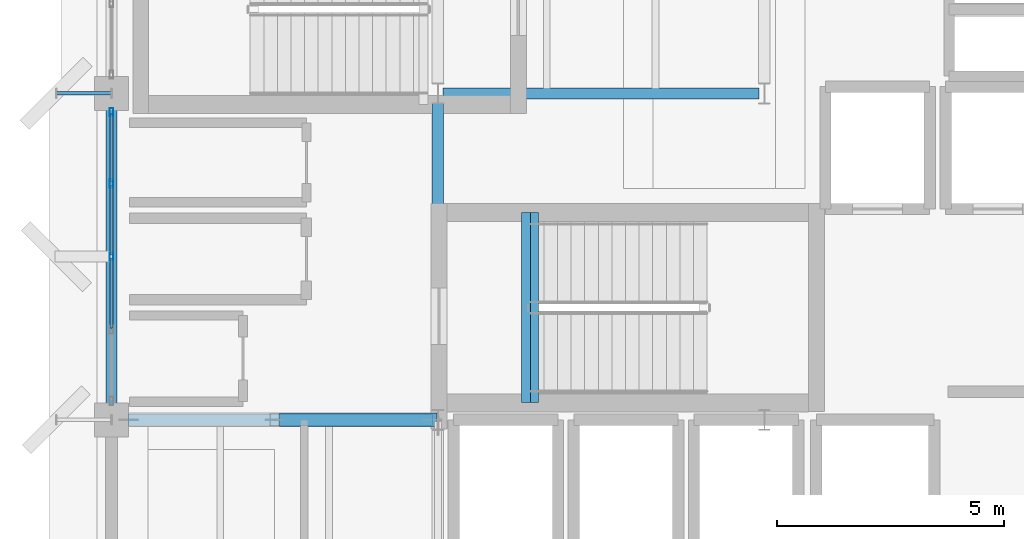
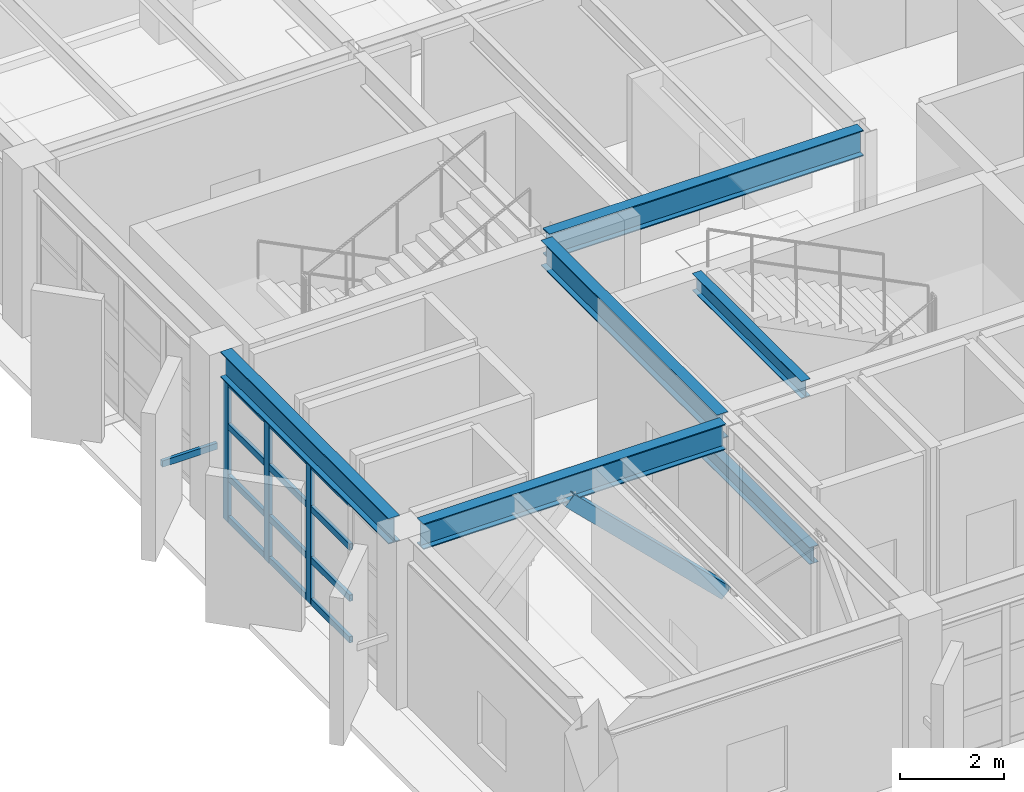
# One storey, part 7 of 37: 17 members, 6 beams, 1 element without a shape of its own.
"""IFC4 building model written with IfcOpenShell, lengths in metres."""

import ifcopenshell
import ifcopenshell.guid

model = None  # the IFC model being written
_history = None  # IfcOwnerHistory: only IFC2X3 demands one
_inside = {}  # id of a spatial element -> (the spatial element, [elements in it])
_under = {}  # id of a project, library or spatial element -> (it, [spatial elements below it])
_declared = {}  # id of a project -> (the project, [libraries it declares])
_typed = {}  # id of a type object -> (the type object, [elements of that type])
_made_of = {}  # id of a material, layer set ... -> (it, [elements and type objects made of it])


def new_model(schema):
    """Start an empty IFC model of exactly this schema.

    Asked for "IFC4X3", IfcOpenShell would pick the latest addendum, in which some entities
    have other attributes; the version numbers below select the first issue.
    IFC2X3 requires an IfcOwnerHistory on every rooted entity: one is made here for all.
    """
    global model, _history
    if schema == "IFC4X3":
        model = ifcopenshell.file(schema_version=(4, 3, 0, 0))
    else:
        model = ifcopenshell.file(schema=schema)
    _inside.clear()
    _under.clear()
    _declared.clear()
    _typed.clear()
    _made_of.clear()
    _history = None
    if model.schema == "IFC2X3":
        org = make("IfcOrganization", Name="unknown")
        user = make(
            "IfcPersonAndOrganization",
            ThePerson=make("IfcPerson", FamilyName="unknown"),
            TheOrganization=org,
        )
        app = make(
            "IfcApplication",
            ApplicationDeveloper=org,
            Version="unknown",
            ApplicationFullName="unknown",
            ApplicationIdentifier="unknown",
        )
        _history = make(
            "IfcOwnerHistory",
            OwningUser=user,
            OwningApplication=app,
            ChangeAction="ADDED",
            CreationDate=0,
        )
    return model


def make(cls, **values):
    """One entity of the class cls with the attributes given. An attribute that is None is left unset."""
    return model.create_entity(
        cls, **{name: value for name, value in values.items() if value is not None}
    )


def rooted(cls, **values):
    """An entity with a GlobalId (a new one), such as an element, a storey or a relation."""
    return make(cls, GlobalId=ifcopenshell.guid.new(), OwnerHistory=_history, **values)


def si_unit(unit_type, name, prefix=None):
    """IfcSIUnit, for example si_unit("LENGTHUNIT", "METRE", prefix="MILLI")."""
    return make("IfcSIUnit", UnitType=unit_type, Prefix=prefix, Name=name)


def assignment(units):
    """IfcUnitAssignment: the units of a project."""
    return None if units is None else make("IfcUnitAssignment", Units=units)


def point(xyz):
    """IfcCartesianPoint."""
    return None if xyz is None else make("IfcCartesianPoint", Coordinates=xyz)


def direction(xyz):
    """IfcDirection."""
    return None if xyz is None else make("IfcDirection", DirectionRatios=xyz)


def frame(location, z_axis=None, x_axis=None):
    """IfcAxis2Placement3D, a coordinate frame: its origin and axes. An axis left out is left unset."""
    return make(
        "IfcAxis2Placement3D",
        Location=point(location),
        Axis=direction(z_axis),
        RefDirection=direction(x_axis),
    )


def frame_2d(location, x_axis=None):
    """IfcAxis2Placement2D, a coordinate frame in the plane: its origin and x axis."""
    return make(
        "IfcAxis2Placement2D", Location=point(location), RefDirection=direction(x_axis)
    )


def origin():
    """The frame at (0, 0, 0) with its axes left unset."""
    return frame((0.0, 0.0, 0.0))


def origin_2d():
    """The frame at (0, 0) in the plane with its x axis left unset."""
    return frame_2d((0.0, 0.0))


def place(relative_to, where):
    """IfcLocalPlacement: puts the frame where relative to a parent placement (None: the world)."""
    return make(
        "IfcLocalPlacement", PlacementRelTo=relative_to, RelativePlacement=where
    )


def context(
    kind, dimensions, precision=None, world=None, true_north=None, identifier=None
):
    """IfcGeometricRepresentationContext, for example the 3D "Model" context."""
    return make(
        "IfcGeometricRepresentationContext",
        ContextIdentifier=identifier,
        ContextType=kind,
        CoordinateSpaceDimension=dimensions,
        Precision=precision,
        WorldCoordinateSystem=world,
        TrueNorth=true_north,
    )


def subcontext(parent, identifier, kind, view, scale=None):
    """IfcGeometricRepresentationSubContext, for example "Body" below "Model"."""
    return make(
        "IfcGeometricRepresentationSubContext",
        ContextIdentifier=identifier,
        ContextType=kind,
        ParentContext=parent,
        TargetScale=scale,
        TargetView=view,
    )


def project(units=None, contexts=None):
    """IfcProject with its units and contexts."""
    return rooted(
        "IfcProject",
        Name="project",
        RepresentationContexts=contexts,
        UnitsInContext=assignment(units),
    )


def spatial(cls, under=None, at=None, **own):
    """A site, building, storey or space (cls), placed at a placement, below another one or the project."""
    s = rooted(cls, ObjectPlacement=at, **own)
    if under is not None:
        _under.setdefault(under.id(), (under, []))[1].append(s)
    return s


def profile(cls, at=None, kind="AREA", **sizes):
    """A parametric profile (cls). Its sizes go by their IFC names, for example OverallWidth=200.0."""
    return make(cls, ProfileType=kind, Position=at, **sizes)


def hollow_rectangle(**sizes):
    """IfcRectangleHollowProfileDef."""
    return profile("IfcRectangleHollowProfileDef", **sizes)


def i_section(**sizes):
    """IfcIShapeProfileDef."""
    return profile("IfcIShapeProfileDef", **sizes)


def extrude(swept, where, along, depth):
    """IfcExtrudedAreaSolid: the profile swept, set in the frame where, extruded along a direction by depth."""
    return make(
        "IfcExtrudedAreaSolid",
        SweptArea=swept,
        Position=where,
        ExtrudedDirection=direction(along),
        Depth=depth,
    )


def shape(context_of_items, identifier, shape_type, items):
    """IfcShapeRepresentation: the items that make up one representation, for example the "Body"."""
    return make(
        "IfcShapeRepresentation",
        ContextOfItems=context_of_items,
        RepresentationIdentifier=identifier,
        RepresentationType=shape_type,
        Items=items,
    )


def material(Name=None, Category=None):
    """IfcMaterial."""
    return make("IfcMaterial", Name=Name, Category=Category)


def layer(
    of_material, thickness, ventilated=None, Name=None, Category=None, Priority=None
):
    """IfcMaterialLayer: one layer of a wall or slab, of a material (None: an air gap)."""
    return make(
        "IfcMaterialLayer",
        Material=of_material,
        LayerThickness=thickness,
        IsVentilated=ventilated,
        Name=Name,
        Category=Category,
        Priority=Priority,
    )


def layer_set(layers, Name=None):
    """IfcMaterialLayerSet."""
    return make("IfcMaterialLayerSet", MaterialLayers=layers, LayerSetName=Name)


def material_profile(
    of_material, cross_section, Name=None, Category=None, Priority=None
):
    """IfcMaterialProfile: a cross section and its material."""
    return make(
        "IfcMaterialProfile",
        Name=Name,
        Material=of_material,
        Profile=cross_section,
        Priority=Priority,
        Category=Category,
    )


def profile_set(profiles, Name=None, composite=None):
    """IfcMaterialProfileSet."""
    return make(
        "IfcMaterialProfileSet",
        Name=Name,
        MaterialProfiles=profiles,
        CompositeProfile=composite,
    )


def made_of(thing, what):
    """Note that an element or type object is made of a material, layer set ...; save() writes the relation."""
    if what is not None:
        _made_of.setdefault(what.id(), (what, []))[1].append(thing)
    return thing


def type_object(cls, material=None, **own):
    """A type object (cls), such as IfcWallType, which elements share."""
    return made_of(rooted(cls, **own), material)


def element(
    cls,
    number,
    at=None,
    inside=None,
    cuts=None,
    type_object=None,
    material=None,
    context=None,
    identifier="Body",
    shape_type=None,
    held_by="IfcProductDefinitionShape",
    body=None,
    shapes=None,
    **own,
):
    """One element of the class cls, such as IfcWall. Its Tag is "e" and its number.

    at: its placement. inside: the storey or other place that contains it. cuts: it is an
    opening in that element (IfcRelVoidsElement). A single representation is given by context,
    identifier, shape_type and body (its items); several are given by shapes. held_by: the class
    of the entity that holds the representations. save() writes the other relations.
    """
    e = rooted(cls, Tag="e%d" % number, ObjectPlacement=at, **own)
    if body is not None:
        shapes = [shape(context, identifier, shape_type, body)]
    if shapes is not None:
        e.Representation = make(held_by, Representations=shapes)
    if inside is not None:
        _inside.setdefault(inside.id(), (inside, []))[1].append(e)
    if cuts is not None:
        rooted(
            "IfcRelVoidsElement", RelatingBuildingElement=cuts, RelatedOpeningElement=e
        )
    if type_object is not None:
        _typed.setdefault(type_object.id(), (type_object, []))[1].append(e)
    return made_of(e, material)


def aggregate(whole, parts):
    """IfcRelAggregates: a whole, such as a stair, and the parts it consists of."""
    return rooted("IfcRelAggregates", RelatingObject=whole, RelatedObjects=parts)


def save(model, path):
    """Write the relations noted so far, then the file.

    IfcRelAggregates (storeys below a building ...), IfcRelContainedInSpatialStructure (elements
    in a storey), IfcRelDefinesByType, IfcRelAssociatesMaterial and IfcRelDeclares: one each for
    every whole, place, type object, material and project.
    """
    for whole, parts in _under.values():
        aggregate(whole, parts)
    for where, things in _inside.values():
        rooted(
            "IfcRelContainedInSpatialStructure",
            RelatedElements=things,
            RelatingStructure=where,
        )
    for kind, things in _typed.values():
        rooted("IfcRelDefinesByType", RelatedObjects=things, RelatingType=kind)
    for what, things in _made_of.values():
        rooted("IfcRelAssociatesMaterial", RelatedObjects=things, RelatingMaterial=what)
    for by, libraries in _declared.values():
        rooted("IfcRelDeclares", RelatingContext=by, RelatedDefinitions=libraries)
    model.write(path)


model = new_model("IFC4")

# Units and contexts
model_context = context("Model", 3, precision=1e-05, world=origin(), true_north=direction((0.0, 1.0)))
body_context = subcontext(model_context, "Body", "Model", "MODEL_VIEW")
ifc_project = project(units=[si_unit("LENGTHUNIT", "METRE"), si_unit("AREAUNIT", "SQUARE_METRE"), si_unit("VOLUMEUNIT", "CUBIC_METRE"), si_unit("PLANEANGLEUNIT", "RADIAN"), si_unit("MASSUNIT", "GRAM", prefix="KILO")], contexts=[model_context])

# Site, building, storey
site_placement = place(None, origin())
site = spatial("IfcSite", under=ifc_project, at=site_placement, CompositionType="ELEMENT")
building_placement = place(site_placement, origin())
building = spatial("IfcBuilding", under=site, at=building_placement, Name="Kandorven Conservatory and Botanical Research Centre", CompositionType="ELEMENT")
storey_placement = place(building_placement, frame((0.0, 0.0, 9.0)))
storey = spatial("IfcBuildingStorey", under=building, at=storey_placement, Name="L02", CompositionType="ELEMENT", Elevation=9.0)

# Beams
ifc_material_1 = material(Name="Steel S355 (IS 2062 E350)", Category="steel")
ifc_material_profile_1 = material_profile(ifc_material_1, i_section(OverallWidth=0.25, OverallDepth=0.60009765625, WebThickness=0.01171875, FlangeThickness=0.023681640625, at=origin_2d()))
ifc_profile_set_1 = profile_set([ifc_material_profile_1], Name="Steel S355 (IS 2062 E350)")
beam_type_1 = type_object("IfcBeamType", Name="Beam_FG-01", PredefinedType="USERDEFINED", material=ifc_profile_set_1)
beam_1_placement = place(storey_placement, frame((6.364990234375, 13.199951171875, 3.659912109375), z_axis=(1.0, 0.0, 0.0), x_axis=(0.0, 1.0, 0.0)))
element("IfcBeam", 1, at=beam_1_placement, inside=storey, type_object=beam_type_1, Name="Primary girder FG-01 TWR L02", ObjectType="GIRDER", PredefinedType="USERDEFINED", context=body_context, shape_type="SweptSolid", body=[
    extrude(i_section(OverallWidth=0.25, OverallDepth=0.60009765625, WebThickness=0.01171875, FlangeThickness=0.023681640625, at=origin_2d()), origin(), (0.0, 0.0, 1.0), 6.719970703125),
])
beam_2_placement = place(storey_placement, frame((13.31494140625, 20.39990234375, 3.659912109375), z_axis=(1.0, 0.0, 0.0), x_axis=(0.0, 1.0, 0.0)))
element("IfcBeam", 2, at=beam_2_placement, inside=storey, type_object=beam_type_1, Name="Primary girder FG-01 TWR L02", ObjectType="GIRDER", PredefinedType="USERDEFINED", context=body_context, shape_type="SweptSolid", body=[
    extrude(i_section(OverallWidth=0.25, OverallDepth=0.60009765625, WebThickness=0.01171875, FlangeThickness=0.023681640625, at=origin_2d()), origin(), (0.0, 0.0, 1.0), 6.969970703125),
])
beam_3_placement = place(storey_placement, frame((6.0, 13.56494140625, 3.659912109375), z_axis=(0.0, 1.0, 0.0), x_axis=(-1.0, 0.0, 0.0)))
element("IfcBeam", 3, at=beam_3_placement, inside=storey, type_object=beam_type_1, Name="Primary girder FG-01 TWR L02", ObjectType="GIRDER", PredefinedType="USERDEFINED", context=body_context, shape_type="SweptSolid", body=[
    extrude(i_section(OverallWidth=0.25, OverallDepth=0.60009765625, WebThickness=0.01171875, FlangeThickness=0.023681640625, at=origin_2d()), origin(), (0.0, 0.0, 1.0), 6.469970703125),
])
beam_4_placement = place(storey_placement, frame((13.199951171875, 13.4150390625, 3.659912109375), z_axis=(0.0, 1.0, 0.0), x_axis=(-1.0, 0.0, 0.0)))
element("IfcBeam", 4, at=beam_4_placement, inside=storey, type_object=beam_type_1, Name="Primary girder FG-01 TWR L02", ObjectType="GIRDER", PredefinedType="USERDEFINED", context=body_context, shape_type="SweptSolid", body=[
    extrude(i_section(OverallWidth=0.25, OverallDepth=0.60009765625, WebThickness=0.01171875, FlangeThickness=0.023681640625, at=origin_2d()), origin(), (0.0, 0.0, 1.0), 6.77001953125),
])
ifc_material_2 = material(Name="Steel S355 (IS 2062 E350)", Category="steel")
ifc_material_profile_2 = material_profile(ifc_material_2, i_section(OverallWidth=0.199951171875, OverallDepth=0.39990234375, WebThickness=0.008544921875, FlangeThickness=0.012939453125, at=origin_2d()))
ifc_profile_set_2 = profile_set([ifc_material_profile_2], Name="Steel S355 (IS 2062 E350)")
beam_type_2 = type_object("IfcBeamType", Name="Beam_FG-03", PredefinedType="USERDEFINED", material=ifc_profile_set_2)
for number, where, z_axis, x_axis, name in (
    (5, (15.320068359375, 13.580078125, -0.199951171875), (0.0, 1.0, 0.0), (-1.0, 0.0, 0.0), "Stair well bottom trimmer girder FG-03 ST-T1 L02"),
    (6, (15.139892578125, 13.580078125, 3.760009765625), (0.0, 1.0, 0.0), (-1.0, 0.0, 0.0), "Stair well top header girder FG-03 ST-T1 L02"),
):
    element("IfcBeam", number, at=place(storey_placement, frame(where, z_axis=z_axis, x_axis=x_axis)), inside=storey, type_object=beam_type_2, Name=name, ObjectType="GIRDER", PredefinedType="USERDEFINED", context=body_context, shape_type="SweptSolid", body=[
        extrude(i_section(OverallWidth=0.199951171875, OverallDepth=0.39990234375, WebThickness=0.008544921875, FlangeThickness=0.012939453125, at=origin_2d()), origin(), (0.0, 0.0, 1.0), 4.18994140625),
    ])

# Curtain wall, members
ifc_material_3 = material(Name="Bronze anodised thermally broken aluminium", Category="aluminium")
ifc_layer = layer(ifc_material_3, 0.179931640625)
ifc_layer_set = layer_set([ifc_layer], Name="Bronze anodised thermally broken aluminium")
curtain_wall_type = type_object("IfcCurtainWallType", Name="CW_Unitised", PredefinedType="USERDEFINED", material=ifc_layer_set)
curtain_wall_placement = place(storey_placement, origin())
curtain_wall = element("IfcCurtainWall", 7, at=curtain_wall_placement, inside=storey, type_object=curtain_wall_type, Name="Tower laboratory curtain wall CW-TWR-W-L02-2", ObjectType="UNITISED GLAZING", PredefinedType="USERDEFINED")
ifc_material_4 = material(Name="Bronze anodised thermally broken aluminium", Category="aluminium")
ifc_material_profile_3 = material_profile(ifc_material_4, hollow_rectangle(XDim=0.080078125, YDim=0.179931640625, WallThickness=0.006103515625, at=origin_2d()))
ifc_profile_set_3 = profile_set([ifc_material_profile_3], Name="Bronze anodised thermally broken aluminium")
member_type_1 = type_object("IfcMemberType", Name="CW_Mullion", PredefinedType="MULLION", material=ifc_profile_set_3)
member_1_placement = place(storey_placement, frame((6.0, 16.800048828125, 0.0), z_axis=(0.0, 0.0, 1.0), x_axis=(-1.0, 0.0, 0.0)))
member_1 = element("IfcMember", 8, at=member_1_placement, type_object=member_type_1, Name="CW-01 mullion 3", PredefinedType="MULLION", context=body_context, shape_type="SweptSolid", body=[
    extrude(hollow_rectangle(XDim=0.080078125, YDim=0.179931640625, WallThickness=0.006103515625, at=origin_2d()), origin(), (0.0, 0.0, 1.0), 3.340087890625),
])
member_2_placement = place(storey_placement, frame((6.0, 18.41259765625, 0.0), z_axis=(0.0, 0.0, 1.0), x_axis=(-1.0, 0.0, 0.0)))
member_2 = element("IfcMember", 9, at=member_2_placement, type_object=member_type_1, Name="CW-01 mullion 4", PredefinedType="MULLION", context=body_context, shape_type="SweptSolid", body=[
    extrude(hollow_rectangle(XDim=0.080078125, YDim=0.179931640625, WallThickness=0.006103515625, at=origin_2d()), origin(), (0.0, 0.0, 1.0), 3.340087890625),
])
member_3_placement = place(storey_placement, frame((6.0, 19.985107421875, 0.0), z_axis=(0.0, 0.0, 1.0), x_axis=(-1.0, 0.0, 0.0)))
member_3 = element("IfcMember", 10, at=member_3_placement, type_object=member_type_1, Name="CW-01 mullion 5", PredefinedType="MULLION", context=body_context, shape_type="SweptSolid", body=[
    extrude(hollow_rectangle(XDim=0.080078125, YDim=0.179931640625, WallThickness=0.006103515625, at=origin_2d()), origin(), (0.0, 0.0, 1.0), 3.340087890625),
])
ifc_material_5 = material(Name="Bronze anodised thermally broken aluminium", Category="aluminium")
ifc_material_profile_4 = material_profile(ifc_material_5, hollow_rectangle(XDim=0.074951171875, YDim=0.14990234375, WallThickness=0.006103515625, at=origin_2d()))
ifc_profile_set_4 = profile_set([ifc_material_profile_4], Name="Bronze anodised thermally broken aluminium")
member_type_2 = type_object("IfcMemberType", Name="CW_Transom", PredefinedType="USERDEFINED", material=ifc_profile_set_4)
member_4_placement = place(storey_placement, frame((6.0, 15.2275390625, 0.074951171875), z_axis=(0.0, 1.0, 0.0), x_axis=(-1.0, 0.0, 0.0)))
member_4 = element("IfcMember", 11, at=member_4_placement, type_object=member_type_2, Name="CW-01 transom 2.1", ObjectType="TRANSOM", PredefinedType="USERDEFINED", context=body_context, shape_type="SweptSolid", body=[
    extrude(hollow_rectangle(XDim=0.074951171875, YDim=0.14990234375, WallThickness=0.006103515625, at=origin_2d()), origin(), (0.0, 0.0, 1.0), 1.532470703125),
])
member_5_placement = place(storey_placement, frame((6.0, 15.2275390625, 1.050048828125), z_axis=(0.0, 1.0, 0.0), x_axis=(-1.0, 0.0, 0.0)))
member_5 = element("IfcMember", 12, at=member_5_placement, type_object=member_type_2, Name="CW-01 transom 2.2", ObjectType="TRANSOM", PredefinedType="USERDEFINED", context=body_context, shape_type="SweptSolid", body=[
    extrude(hollow_rectangle(XDim=0.074951171875, YDim=0.14990234375, WallThickness=0.006103515625, at=origin_2d()), origin(), (0.0, 0.0, 1.0), 1.532470703125),
])
member_6_placement = place(storey_placement, frame((6.0, 15.2275390625, 2.25), z_axis=(0.0, 1.0, 0.0), x_axis=(-1.0, 0.0, 0.0)))
member_6 = element("IfcMember", 13, at=member_6_placement, type_object=member_type_2, Name="CW-01 transom 2.3", ObjectType="TRANSOM", PredefinedType="USERDEFINED", context=body_context, shape_type="SweptSolid", body=[
    extrude(hollow_rectangle(XDim=0.074951171875, YDim=0.14990234375, WallThickness=0.006103515625, at=origin_2d()), origin(), (0.0, 0.0, 1.0), 1.532470703125),
])
member_7_placement = place(storey_placement, frame((6.0, 15.2275390625, 3.264892578125), z_axis=(0.0, 1.0, 0.0), x_axis=(-1.0, 0.0, 0.0)))
member_7 = element("IfcMember", 14, at=member_7_placement, type_object=member_type_2, Name="CW-01 transom 2.4", ObjectType="TRANSOM", PredefinedType="USERDEFINED", context=body_context, shape_type="SweptSolid", body=[
    extrude(hollow_rectangle(XDim=0.074951171875, YDim=0.14990234375, WallThickness=0.006103515625, at=origin_2d()), origin(), (0.0, 0.0, 1.0), 1.532470703125),
])
member_8_placement = place(storey_placement, frame((6.0, 16.840087890625, 0.074951171875), z_axis=(0.0, 1.0, 0.0), x_axis=(-1.0, 0.0, 0.0)))
member_8 = element("IfcMember", 15, at=member_8_placement, type_object=member_type_2, Name="CW-01 transom 3.1", ObjectType="TRANSOM", PredefinedType="USERDEFINED", context=body_context, shape_type="SweptSolid", body=[
    extrude(hollow_rectangle(XDim=0.074951171875, YDim=0.14990234375, WallThickness=0.006103515625, at=origin_2d()), origin(), (0.0, 0.0, 1.0), 1.532470703125),
])
member_9_placement = place(storey_placement, frame((6.0, 16.840087890625, 1.050048828125), z_axis=(0.0, 1.0, 0.0), x_axis=(-1.0, 0.0, 0.0)))
member_9 = element("IfcMember", 16, at=member_9_placement, type_object=member_type_2, Name="CW-01 transom 3.2", ObjectType="TRANSOM", PredefinedType="USERDEFINED", context=body_context, shape_type="SweptSolid", body=[
    extrude(hollow_rectangle(XDim=0.074951171875, YDim=0.14990234375, WallThickness=0.006103515625, at=origin_2d()), origin(), (0.0, 0.0, 1.0), 1.532470703125),
])
member_10_placement = place(storey_placement, frame((6.0, 16.840087890625, 2.25), z_axis=(0.0, 1.0, 0.0), x_axis=(-1.0, 0.0, 0.0)))
member_10 = element("IfcMember", 17, at=member_10_placement, type_object=member_type_2, Name="CW-01 transom 3.3", ObjectType="TRANSOM", PredefinedType="USERDEFINED", context=body_context, shape_type="SweptSolid", body=[
    extrude(hollow_rectangle(XDim=0.074951171875, YDim=0.14990234375, WallThickness=0.006103515625, at=origin_2d()), origin(), (0.0, 0.0, 1.0), 1.532470703125),
])
member_11_placement = place(storey_placement, frame((6.0, 16.840087890625, 3.264892578125), z_axis=(0.0, 1.0, 0.0), x_axis=(-1.0, 0.0, 0.0)))
member_11 = element("IfcMember", 18, at=member_11_placement, type_object=member_type_2, Name="CW-01 transom 3.4", ObjectType="TRANSOM", PredefinedType="USERDEFINED", context=body_context, shape_type="SweptSolid", body=[
    extrude(hollow_rectangle(XDim=0.074951171875, YDim=0.14990234375, WallThickness=0.006103515625, at=origin_2d()), origin(), (0.0, 0.0, 1.0), 1.532470703125),
])
member_12_placement = place(storey_placement, frame((6.0, 18.452392578125, 0.074951171875), z_axis=(0.0, 1.0, 0.0), x_axis=(-1.0, 0.0, 0.0)))
member_12 = element("IfcMember", 19, at=member_12_placement, type_object=member_type_2, Name="CW-01 transom 4.1", ObjectType="TRANSOM", PredefinedType="USERDEFINED", context=body_context, shape_type="SweptSolid", body=[
    extrude(hollow_rectangle(XDim=0.074951171875, YDim=0.14990234375, WallThickness=0.006103515625, at=origin_2d()), origin(), (0.0, 0.0, 1.0), 1.49267578125),
])
member_13_placement = place(storey_placement, frame((6.0, 18.452392578125, 1.050048828125), z_axis=(0.0, 1.0, 0.0), x_axis=(-1.0, 0.0, 0.0)))
member_13 = element("IfcMember", 20, at=member_13_placement, type_object=member_type_2, Name="CW-01 transom 4.2", ObjectType="TRANSOM", PredefinedType="USERDEFINED", context=body_context, shape_type="SweptSolid", body=[
    extrude(hollow_rectangle(XDim=0.074951171875, YDim=0.14990234375, WallThickness=0.006103515625, at=origin_2d()), origin(), (0.0, 0.0, 1.0), 1.49267578125),
])
member_14_placement = place(storey_placement, frame((6.0, 18.452392578125, 2.25), z_axis=(0.0, 1.0, 0.0), x_axis=(-1.0, 0.0, 0.0)))
member_14 = element("IfcMember", 21, at=member_14_placement, type_object=member_type_2, Name="CW-01 transom 4.3", ObjectType="TRANSOM", PredefinedType="USERDEFINED", context=body_context, shape_type="SweptSolid", body=[
    extrude(hollow_rectangle(XDim=0.074951171875, YDim=0.14990234375, WallThickness=0.006103515625, at=origin_2d()), origin(), (0.0, 0.0, 1.0), 1.49267578125),
])
member_15_placement = place(storey_placement, frame((6.0, 18.452392578125, 3.264892578125), z_axis=(0.0, 1.0, 0.0), x_axis=(-1.0, 0.0, 0.0)))
member_15 = element("IfcMember", 22, at=member_15_placement, type_object=member_type_2, Name="CW-01 transom 4.4", ObjectType="TRANSOM", PredefinedType="USERDEFINED", context=body_context, shape_type="SweptSolid", body=[
    extrude(hollow_rectangle(XDim=0.074951171875, YDim=0.14990234375, WallThickness=0.006103515625, at=origin_2d()), origin(), (0.0, 0.0, 1.0), 1.49267578125),
])
aggregate(curtain_wall, [member_1, member_2, member_3, member_4, member_5, member_6, member_7, member_8, member_9, member_10, member_11, member_12, member_13, member_14, member_15])

# Members
ifc_material_6 = material(Name="Steel S355 (IS 2062 E350)", Category="steel")
ifc_material_profile_5 = material_profile(ifc_material_6, hollow_rectangle(XDim=0.300048828125, YDim=0.300048828125, WallThickness=0.01611328125, at=origin_2d()))
ifc_profile_set_5 = profile_set([ifc_material_profile_5], Name="Steel S355 (IS 2062 E350)")
member_type_3 = type_object("IfcMemberType", Name="Mem_BR-01", PredefinedType="BRACE", material=ifc_profile_set_5)
member_16_placement = place(storey_placement, frame((13.074951171875, 13.199951171875, 0.0), z_axis=(-0.715803407515, 0.0, 0.698301855782), x_axis=(0.0, -1.0, 0.0)))
element("IfcMember", 23, at=member_16_placement, inside=storey, type_object=member_type_3, Name="Tower lateral chevron brace BR-01 L02 E", PredefinedType="BRACE", context=body_context, shape_type="SweptSolid", body=[
    extrude(hollow_rectangle(XDim=0.300048828125, YDim=0.300048828125, WallThickness=0.01611328125, at=origin_2d()), origin(), (0.0, 0.0, 1.0), 4.8544921875),
])
ifc_material_7 = material(Name="Steel S355 (IS 2062 E350)", Category="steel")
ifc_material_profile_6 = material_profile(ifc_material_7, hollow_rectangle(XDim=0.074951171875, YDim=0.14990234375, WallThickness=0.006103515625, at=origin_2d()))
ifc_profile_set_6 = profile_set([ifc_material_profile_6], Name="Steel S355 (IS 2062 E350)")
member_type_4 = type_object("IfcMemberType", Name="Mem_SF-01", PredefinedType="STRUT", material=ifc_profile_set_6)
member_17_placement = place(storey_placement, frame((6.0, 20.39990234375, 1.5), z_axis=(-1.0, 0.0, 0.0), x_axis=(0.0, -1.0, 0.0)))
element("IfcMember", 24, at=member_17_placement, inside=storey, type_object=member_type_4, Name="Solar fin steel outrigger strut SF-01 #19", PredefinedType="STRUT", context=body_context, shape_type="SweptSolid", body=[
    extrude(hollow_rectangle(XDim=0.074951171875, YDim=0.14990234375, WallThickness=0.006103515625, at=origin_2d()), origin(), (0.0, 0.0, 1.0), 1.219970703125),
])

save(model, "model.ifc")
